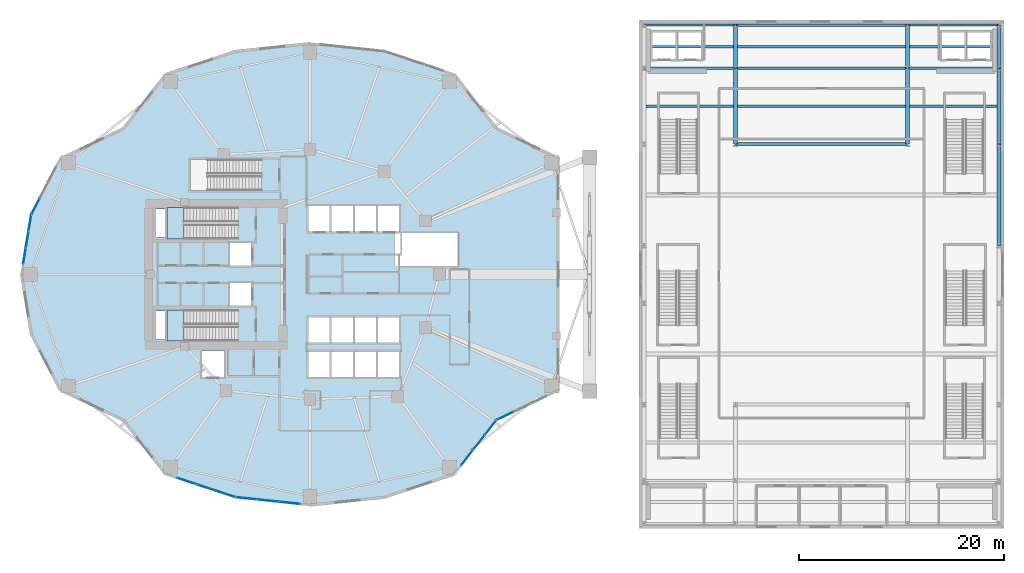
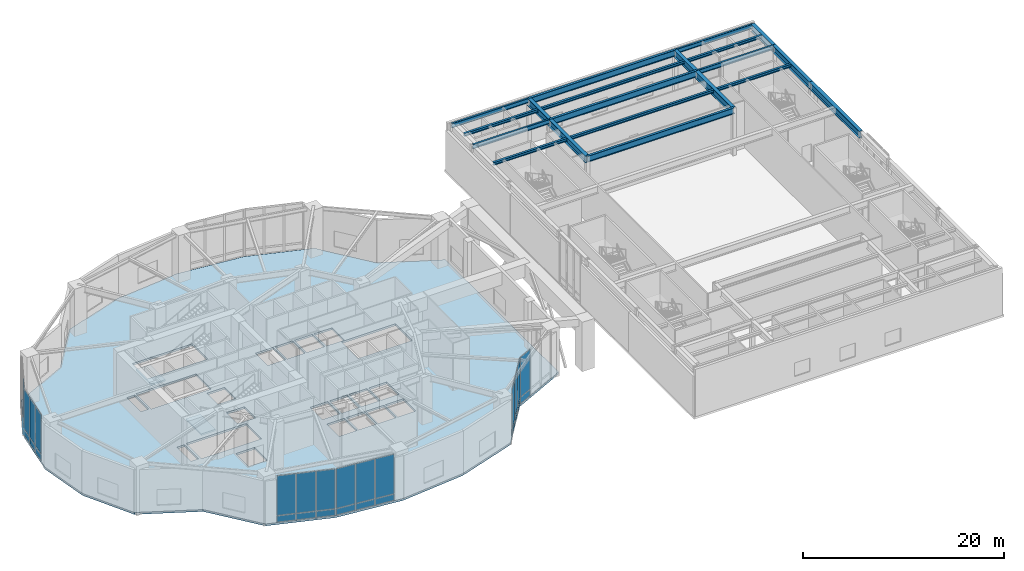
# One storey, part 12 of 25: 28 plates, 20 beams, 3 slabs, 8 elements without a shape of their own.
"""IFC4 building model written with IfcOpenShell, lengths in metres."""

from ifc_helpers import new_model, si_unit, direction, frame, origin, origin_2d, place, context, subcontext, project, spatial, polyline, rectangle, i_section, outline, extrude, material, layer, layer_set, material_profile, profile_set, type_object, element, aggregate, save


model = new_model("IFC4")

# Units and contexts
model_context = context("Model", 3, precision=1e-05, world=origin(), true_north=direction((0.0, 1.0)))
body_context = subcontext(model_context, "Body", "Model", "MODEL_VIEW")
ifc_project = project(units=[si_unit("LENGTHUNIT", "METRE"), si_unit("AREAUNIT", "SQUARE_METRE"), si_unit("VOLUMEUNIT", "CUBIC_METRE"), si_unit("PLANEANGLEUNIT", "RADIAN"), si_unit("MASSUNIT", "GRAM", prefix="KILO")], contexts=[model_context])

# Site, building, storey
site_placement = place(None, origin())
site = spatial("IfcSite", under=ifc_project, at=site_placement, CompositionType="ELEMENT")
building_placement = place(site_placement, origin())
building = spatial("IfcBuilding", under=site, at=building_placement, Name="Kolvaren Gate Tower and Convention Centre", CompositionType="ELEMENT")
storey_placement = place(building_placement, frame((0.0, 0.0, 15.0)))
storey = spatial("IfcBuildingStorey", under=building, at=storey_placement, Name="L03", CompositionType="ELEMENT", Elevation=15.0)

# Beams
ifc_material_1 = material(Name="Structural steel ASTM A992 Grade 345 MPa", Category="steel")
ifc_material_profile_1 = material_profile(ifc_material_1, i_section(OverallWidth=0.2119140625, OverallDepth=0.5439453125, WebThickness=0.01318359375, FlangeThickness=0.021240234375, at=origin_2d()), Name="W530X123")
ifc_profile_set_1 = profile_set([ifc_material_profile_1], Name="Structural steel ASTM A992 Grade 345 MPa")
beam_type_1 = type_object("IfcBeamType", Name="STR-BM-W530X123", PredefinedType="BEAM", material=ifc_profile_set_1)
for number, where, z_axis, x_axis, name in (
    (1, (62.699951171875, 47.10009765625, 5.488037109375), (1.0, 0.0, 0.0), (0.0, 1.0, 0.0), "Convention L03 Transverse Girder CTG-17"),
    (2, (88.39990234375, 47.10009765625, 5.488037109375), (1.0, 0.0, 0.0), (0.0, 1.0, 0.0), "Convention L03 Transverse Girder CTG-37"),
    (3, (62.699951171875, 51.300048828125, 5.488037109375), (1.0, 0.0, 0.0), (0.0, 1.0, 0.0), "Convention L03 Transverse Girder CTG-18"),
    (4, (88.39990234375, 51.300048828125, 5.488037109375), (1.0, 0.0, 0.0), (0.0, 1.0, 0.0), "Convention L03 Transverse Girder CTG-38"),
):
    element("IfcBeam", number, at=place(storey_placement, frame(where, z_axis=z_axis, x_axis=x_axis)), inside=storey, type_object=beam_type_1, Name=name, PredefinedType="BEAM", context=body_context, shape_type="SweptSolid", body=[
        extrude(i_section(OverallWidth=0.2119140625, OverallDepth=0.5439453125, WebThickness=0.01318359375, FlangeThickness=0.021240234375, at=origin_2d()), origin(), (0.0, 0.0, 1.0), 8.900146484375),
    ])
ifc_material_profile_2 = material_profile(ifc_material_1, i_section(OverallWidth=0.26806640625, OverallDepth=0.758056640625, WebThickness=0.016357421875, FlangeThickness=0.025390625, at=origin_2d()), Name="W760X220")
ifc_profile_set_2 = profile_set([ifc_material_profile_2], Name="Structural steel ASTM A992 Grade 345 MPa")
beam_type_2 = type_object("IfcBeamType", Name="STR-BM-W760X220", PredefinedType="BEAM", material=ifc_profile_set_2)
for number, where, z_axis, x_axis, name in (
    (5, (71.60009765625, 39.699951171875, 5.381103515625), (1.0, 0.0, 0.0), (0.0, 1.0, 0.0), "Convention L03 Transverse Girder CTG-26"),
    (6, (71.60009765625, 47.10009765625, 5.381103515625), (1.0, 0.0, 0.0), (0.0, 1.0, 0.0), "Convention L03 Transverse Girder CTG-27"),
    (7, (71.60009765625, 51.300048828125, 5.381103515625), (1.0, 0.0, 0.0), (0.0, 1.0, 0.0), "Convention L03 Transverse Girder CTG-28"),
):
    element("IfcBeam", number, at=place(storey_placement, frame(where, z_axis=z_axis, x_axis=x_axis)), inside=storey, type_object=beam_type_2, Name=name, PredefinedType="BEAM", context=body_context, shape_type="SweptSolid", body=[
        extrude(i_section(OverallWidth=0.26806640625, OverallDepth=0.758056640625, WebThickness=0.016357421875, FlangeThickness=0.025390625, at=origin_2d()), origin(), (0.0, 0.0, 1.0), 16.7998046875),
    ])
ifc_material_profile_3 = material_profile(ifc_material_1, i_section(OverallWidth=0.39990234375, OverallDepth=0.85498046875, WebThickness=0.018310546875, FlangeThickness=0.029296875, at=origin_2d()), Name="W840X299")
ifc_profile_set_3 = profile_set([ifc_material_profile_3], Name="Structural steel ASTM A992 Grade 345 MPa")
beam_type_3 = type_object("IfcBeamType", Name="STR-BM-W840X299", PredefinedType="BEAM", material=ifc_profile_set_3)
beam_1_placement = place(storey_placement, frame((71.60009765625, 39.699951171875, 5.33251953125), z_axis=(0.0, 1.0, 0.0), x_axis=(-1.0, 0.0, 0.0)))
element("IfcBeam", 8, at=beam_1_placement, inside=storey, type_object=beam_type_3, Name="Convention L03 Longitudinal Girder CG-26", PredefinedType="BEAM", context=body_context, shape_type="SweptSolid", body=[
    extrude(i_section(OverallWidth=0.39990234375, OverallDepth=0.85498046875, WebThickness=0.018310546875, FlangeThickness=0.029296875, at=origin_2d()), origin(), (0.0, 0.0, 1.0), 7.400146484375),
])
beam_2_placement = place(storey_placement, frame((71.60009765625, 47.10009765625, 5.33251953125), z_axis=(0.0, 1.0, 0.0), x_axis=(-1.0, 0.0, 0.0)))
element("IfcBeam", 9, at=beam_2_placement, inside=storey, type_object=beam_type_3, Name="Convention L03 Longitudinal Girder CG-27", PredefinedType="BEAM", context=body_context, shape_type="SweptSolid", body=[
    extrude(i_section(OverallWidth=0.39990234375, OverallDepth=0.85498046875, WebThickness=0.018310546875, FlangeThickness=0.029296875, at=origin_2d()), origin(), (0.0, 0.0, 1.0), 4.199951171875),
])
beam_3_placement = place(storey_placement, frame((88.39990234375, 39.699951171875, 5.33251953125), z_axis=(0.0, 1.0, 0.0), x_axis=(-1.0, 0.0, 0.0)))
element("IfcBeam", 10, at=beam_3_placement, inside=storey, type_object=beam_type_3, Name="Convention L03 Longitudinal Girder CG-36", PredefinedType="BEAM", context=body_context, shape_type="SweptSolid", body=[
    extrude(i_section(OverallWidth=0.39990234375, OverallDepth=0.85498046875, WebThickness=0.018310546875, FlangeThickness=0.029296875, at=origin_2d()), origin(), (0.0, 0.0, 1.0), 7.400146484375),
])
beam_4_placement = place(storey_placement, frame((88.39990234375, 47.10009765625, 5.33251953125), z_axis=(0.0, 1.0, 0.0), x_axis=(-1.0, 0.0, 0.0)))
element("IfcBeam", 11, at=beam_4_placement, inside=storey, type_object=beam_type_3, Name="Convention L03 Longitudinal Girder CG-37", PredefinedType="BEAM", context=body_context, shape_type="SweptSolid", body=[
    extrude(i_section(OverallWidth=0.39990234375, OverallDepth=0.85498046875, WebThickness=0.018310546875, FlangeThickness=0.029296875, at=origin_2d()), origin(), (0.0, 0.0, 1.0), 4.199951171875),
])
beam_5_placement = place(storey_placement, frame((97.300048828125, 29.800048828125, 5.33251953125), z_axis=(0.0, 1.0, 0.0), x_axis=(-1.0, 0.0, 0.0)))
element("IfcBeam", 12, at=beam_5_placement, inside=storey, type_object=beam_type_3, Name="Convention L03 Longitudinal Girder CG-45", PredefinedType="BEAM", context=body_context, shape_type="SweptSolid", body=[
    extrude(i_section(OverallWidth=0.39990234375, OverallDepth=0.85498046875, WebThickness=0.018310546875, FlangeThickness=0.029296875, at=origin_2d()), origin(), (0.0, 0.0, 1.0), 9.89990234375),
])
beam_6_placement = place(storey_placement, frame((97.300048828125, 39.699951171875, 5.33251953125), z_axis=(0.0, 1.0, 0.0), x_axis=(-1.0, 0.0, 0.0)))
element("IfcBeam", 13, at=beam_6_placement, inside=storey, type_object=beam_type_3, Name="Convention L03 Longitudinal Girder CG-46", PredefinedType="BEAM", context=body_context, shape_type="SweptSolid", body=[
    extrude(i_section(OverallWidth=0.39990234375, OverallDepth=0.85498046875, WebThickness=0.018310546875, FlangeThickness=0.029296875, at=origin_2d()), origin(), (0.0, 0.0, 1.0), 7.400146484375),
])
beam_7_placement = place(storey_placement, frame((97.300048828125, 47.10009765625, 5.33251953125), z_axis=(0.0, 1.0, 0.0), x_axis=(-1.0, 0.0, 0.0)))
element("IfcBeam", 14, at=beam_7_placement, inside=storey, type_object=beam_type_3, Name="Convention L03 Longitudinal Girder CG-47", PredefinedType="BEAM", context=body_context, shape_type="SweptSolid", body=[
    extrude(i_section(OverallWidth=0.39990234375, OverallDepth=0.85498046875, WebThickness=0.018310546875, FlangeThickness=0.029296875, at=origin_2d()), origin(), (0.0, 0.0, 1.0), 4.199951171875),
])
ifc_material_profile_4 = material_profile(ifc_material_1, i_section(OverallWidth=0.2548828125, OverallDepth=0.35693359375, WebThickness=0.010498046875, FlangeThickness=0.018310546875, at=origin_2d()), Name="W360X101")
ifc_profile_set_4 = profile_set([ifc_material_profile_4], Name="Structural steel ASTM A992 Grade 345 MPa")
beam_type_4 = type_object("IfcBeamType", Name="STR-JS-W360X101", PredefinedType="JOIST", material=ifc_profile_set_4)
beam_8_placement = place(storey_placement, frame((62.89990234375, 43.39990234375, 5.58154296875), z_axis=(1.0, 0.0, 0.0), x_axis=(0.0, 1.0, 0.0)))
element("IfcBeam", 15, at=beam_8_placement, inside=storey, type_object=beam_type_4, Name="Convention L03 Composite Floor Joist CJ-16", PredefinedType="JOIST", context=body_context, shape_type="SweptSolid", body=[
    extrude(i_section(OverallWidth=0.2548828125, OverallDepth=0.35693359375, WebThickness=0.010498046875, FlangeThickness=0.018310546875, at=origin_2d()), origin(), (0.0, 0.0, 1.0), 8.5),
])
beam_9_placement = place(storey_placement, frame((71.800048828125, 43.39990234375, 5.58154296875), z_axis=(1.0, 0.0, 0.0), x_axis=(0.0, 1.0, 0.0)))
element("IfcBeam", 16, at=beam_9_placement, inside=storey, type_object=beam_type_4, Name="Convention L03 Composite Floor Joist CJ-26", PredefinedType="JOIST", context=body_context, shape_type="SweptSolid", body=[
    extrude(i_section(OverallWidth=0.2548828125, OverallDepth=0.35693359375, WebThickness=0.010498046875, FlangeThickness=0.018310546875, at=origin_2d()), origin(), (0.0, 0.0, 1.0), 16.39990234375),
])
for number, where, z_axis, x_axis, name in (
    (17, (88.60009765625, 43.39990234375, 5.58154296875), (1.0, 0.0, 0.0), (0.0, 1.0, 0.0), "Convention L03 Composite Floor Joist CJ-36"),
    (18, (62.89990234375, 49.199951171875, 5.58154296875), (1.0, 0.0, 0.0), (0.0, 1.0, 0.0), "Convention L03 Composite Floor Joist CJ-17"),
):
    element("IfcBeam", number, at=place(storey_placement, frame(where, z_axis=z_axis, x_axis=x_axis)), inside=storey, type_object=beam_type_4, Name=name, PredefinedType="JOIST", context=body_context, shape_type="SweptSolid", body=[
        extrude(i_section(OverallWidth=0.2548828125, OverallDepth=0.35693359375, WebThickness=0.010498046875, FlangeThickness=0.018310546875, at=origin_2d()), origin(), (0.0, 0.0, 1.0), 8.5),
    ])
beam_10_placement = place(storey_placement, frame((71.800048828125, 49.199951171875, 5.58154296875), z_axis=(1.0, 0.0, 0.0), x_axis=(0.0, 1.0, 0.0)))
element("IfcBeam", 19, at=beam_10_placement, inside=storey, type_object=beam_type_4, Name="Convention L03 Composite Floor Joist CJ-27", PredefinedType="JOIST", context=body_context, shape_type="SweptSolid", body=[
    extrude(i_section(OverallWidth=0.2548828125, OverallDepth=0.35693359375, WebThickness=0.010498046875, FlangeThickness=0.018310546875, at=origin_2d()), origin(), (0.0, 0.0, 1.0), 16.39990234375),
])
beam_11_placement = place(storey_placement, frame((88.60009765625, 49.199951171875, 5.58154296875), z_axis=(1.0, 0.0, 0.0), x_axis=(0.0, 1.0, 0.0)))
element("IfcBeam", 20, at=beam_11_placement, inside=storey, type_object=beam_type_4, Name="Convention L03 Composite Floor Joist CJ-37", PredefinedType="JOIST", context=body_context, shape_type="SweptSolid", body=[
    extrude(i_section(OverallWidth=0.2548828125, OverallDepth=0.35693359375, WebThickness=0.010498046875, FlangeThickness=0.018310546875, at=origin_2d()), origin(), (0.0, 0.0, 1.0), 8.5),
])

# Curtain wall, plate
ifc_material_2 = material(Name="Anodized Architectural Aluminium Alloy 6063-T6", Category="aluminium")
ifc_layer_1 = layer(ifc_material_2, 0.179931640625)
ifc_layer_set_1 = layer_set([ifc_layer_1], Name="Anodized Architectural Aluminium Alloy 6063-T6")
curtain_wall_type = type_object("IfcCurtainWallType", Name="CW-POD-GLZ", PredefinedType="NOTDEFINED", material=ifc_layer_set_1)
curtain_wall_1_placement = place(storey_placement, origin())
curtain_wall_1 = element("IfcCurtainWall", 21, at=curtain_wall_1_placement, inside=storey, type_object=curtain_wall_type, Name="Tower L03 Unitised Curtain Wall CW-POD-GLZ Bay 10", PredefinedType="NOTDEFINED")
ifc_material_3 = material(Name="Low-E Triple Insulated Glazing Unit 44 mm", Category="glass")
ifc_layer_2 = layer(ifc_material_3, 0.0439453125)
ifc_layer_set_2 = layer_set([ifc_layer_2], Name="Low-E Triple Insulated Glazing Unit 44 mm")
plate_type_1 = type_object("IfcPlateType", Name="CW-PL-IGU-44", PredefinedType="CURTAIN_PANEL", material=ifc_layer_set_2)
plate_1_placement = place(storey_placement, frame((3.373779296875, 33.625732421875, 0.88720703125), z_axis=(0.0, 0.0, 1.0), x_axis=(0.459789264949, 0.888028058024, 0.0)))
plate_1 = element("IfcPlate", 22, at=plate_1_placement, type_object=plate_type_1, Name="CW-01 panel 1.2", PredefinedType="CURTAIN_PANEL", context=body_context, shape_type="SweptSolid", body=[
    extrude(rectangle(XDim=1.6572265625, YDim=0.0439453125, at=origin_2d()), origin(), (0.0, 0.0, 1.0), 4.797607421875),
])

# Curtain wall, plates
curtain_wall_2_placement = place(storey_placement, origin())
curtain_wall_2 = element("IfcCurtainWall", 23, at=curtain_wall_2_placement, inside=storey, type_object=curtain_wall_type, Name="Tower L03 Unitised Curtain Wall CW-POD-GLZ Bay 11", PredefinedType="NOTDEFINED")
plate_2_placement = place(storey_placement, frame((2.295166015625, 28.793212890625, 0.88720703125), z_axis=(0.0, 0.0, 1.0), x_axis=(0.162376449454, 0.986728883059, 0.0)))
plate_2 = element("IfcPlate", 24, at=plate_2_placement, type_object=plate_type_1, Name="CW-01 panel 1.2", PredefinedType="CURTAIN_PANEL", context=body_context, shape_type="SweptSolid", body=[
    extrude(rectangle(XDim=1.52880859375, YDim=0.0439453125, at=origin_2d()), origin(), (0.0, 0.0, 1.0), 4.797607421875),
])
plate_3_placement = place(storey_placement, frame((2.55859375, 30.394287109375, 0.88720703125), z_axis=(0.0, 0.0, 1.0), x_axis=(0.162376449454, 0.986728883059, 0.0)))
plate_3 = element("IfcPlate", 25, at=plate_3_placement, type_object=plate_type_1, Name="CW-01 panel 2.2", PredefinedType="CURTAIN_PANEL", context=body_context, shape_type="SweptSolid", body=[
    extrude(rectangle(XDim=1.566162109375, YDim=0.0439453125, at=origin_2d()), origin(), (0.0, 0.0, 1.0), 4.797607421875),
])
plate_4_placement = place(storey_placement, frame((2.822021484375, 31.9951171875, 0.88720703125), z_axis=(0.0, 0.0, 1.0), x_axis=(0.162376449454, 0.986728883059, 0.0)))
plate_4 = element("IfcPlate", 26, at=plate_4_placement, type_object=plate_type_1, Name="CW-01 panel 3.2", PredefinedType="CURTAIN_PANEL", context=body_context, shape_type="SweptSolid", body=[
    extrude(rectangle(XDim=1.52880859375, YDim=0.0439453125, at=origin_2d()), origin(), (0.0, 0.0, 1.0), 4.797607421875),
])

curtain_wall_3_placement = place(storey_placement, origin())
curtain_wall_3 = element("IfcCurtainWall", 27, at=curtain_wall_3_placement, inside=storey, type_object=curtain_wall_type, Name="Tower L03 Unitised Curtain Wall CW-POD-GLZ Bay 16", PredefinedType="NOTDEFINED")
plate_5_placement = place(storey_placement, frame((18.076904296875, 6.846923828125, 0.88720703125), z_axis=(0.0, 0.0, 1.0), x_axis=(0.949242053404, -0.314546537175, 0.0)))
plate_5 = element("IfcPlate", 28, at=plate_5_placement, type_object=plate_type_1, Name="CW-01 panel 1.2", PredefinedType="CURTAIN_PANEL", context=body_context, shape_type="SweptSolid", body=[
    extrude(rectangle(XDim=1.904541015625, YDim=0.0439453125, at=origin_2d()), origin(), (0.0, 0.0, 1.0), 4.797607421875),
])
plate_6_placement = place(storey_placement, frame((19.973876953125, 6.21826171875, 0.88720703125), z_axis=(0.0, 0.0, 1.0), x_axis=(0.949242053404, -0.314546537175, 0.0)))
plate_6 = element("IfcPlate", 29, at=plate_6_placement, type_object=plate_type_1, Name="CW-01 panel 2.2", PredefinedType="CURTAIN_PANEL", context=body_context, shape_type="SweptSolid", body=[
    extrude(rectangle(XDim=1.94189453125, YDim=0.0439453125, at=origin_2d()), origin(), (0.0, 0.0, 1.0), 4.797607421875),
])
plate_7_placement = place(storey_placement, frame((21.87060546875, 5.58984375, 0.88720703125), z_axis=(0.0, 0.0, 1.0), x_axis=(0.949242053404, -0.314546537175, 0.0)))
plate_7 = element("IfcPlate", 30, at=plate_7_placement, type_object=plate_type_1, Name="CW-01 panel 3.2", PredefinedType="CURTAIN_PANEL", context=body_context, shape_type="SweptSolid", body=[
    extrude(rectangle(XDim=1.904541015625, YDim=0.0439453125, at=origin_2d()), origin(), (0.0, 0.0, 1.0), 4.797607421875),
])

curtain_wall_4_placement = place(storey_placement, origin())
curtain_wall_4 = element("IfcCurtainWall", 31, at=curtain_wall_4_placement, inside=storey, type_object=curtain_wall_type, Name="Tower L03 Unitised Curtain Wall CW-POD-GLZ Bay 17", PredefinedType="NOTDEFINED")
plate_8_placement = place(storey_placement, frame((23.923583984375, 5.153076171875, 0.88720703125), z_axis=(0.0, 0.0, 1.0), x_axis=(0.994499449653, -0.104741799872, 0.0)))
plate_8 = element("IfcPlate", 32, at=plate_8_placement, type_object=plate_type_1, Name="CW-01 panel 1.2", PredefinedType="CURTAIN_PANEL", context=body_context, shape_type="SweptSolid", body=[
    extrude(rectangle(XDim=2.017822265625, YDim=0.0439453125, at=origin_2d()), origin(), (0.0, 0.0, 1.0), 4.797607421875),
])
plate_9_placement = place(storey_placement, frame((26.023681640625, 4.931884765625, 0.88720703125), z_axis=(0.0, 0.0, 1.0), x_axis=(0.994499449653, -0.104741799872, 0.0)))
plate_9 = element("IfcPlate", 33, at=plate_9_placement, type_object=plate_type_1, Name="CW-01 panel 2.2", PredefinedType="CURTAIN_PANEL", context=body_context, shape_type="SweptSolid", body=[
    extrude(rectangle(XDim=2.055419921875, YDim=0.0439453125, at=origin_2d()), origin(), (0.0, 0.0, 1.0), 4.797607421875),
])
plate_10_placement = place(storey_placement, frame((28.12353515625, 4.7109375, 0.88720703125), z_axis=(0.0, 0.0, 1.0), x_axis=(0.994499449653, -0.104741799872, 0.0)))
plate_10 = element("IfcPlate", 34, at=plate_10_placement, type_object=plate_type_1, Name="CW-01 panel 3.2", PredefinedType="CURTAIN_PANEL", context=body_context, shape_type="SweptSolid", body=[
    extrude(rectangle(XDim=2.017822265625, YDim=0.0439453125, at=origin_2d()), origin(), (0.0, 0.0, 1.0), 4.797607421875),
])

curtain_wall_5_placement = place(storey_placement, origin())
curtain_wall_5 = element("IfcCurtainWall", 35, at=curtain_wall_5_placement, inside=storey, type_object=curtain_wall_type, Name="Tower L03 Unitised Curtain Wall CW-POD-GLZ Bay 20", PredefinedType="NOTDEFINED")
plate_11_placement = place(storey_placement, frame((45.439697265625, 9.114013671875, 0.88720703125), z_axis=(0.0, 0.0, 1.0), x_axis=(0.616425794643, 0.787413004527, 0.0)))
plate_11 = element("IfcPlate", 36, at=plate_11_placement, type_object=plate_type_1, Name="CW-01 panel 1.2", PredefinedType="CURTAIN_PANEL", context=body_context, shape_type="SweptSolid", body=[
    extrude(rectangle(XDim=1.760986328125, YDim=0.0439453125, at=origin_2d()), origin(), (0.0, 0.0, 1.0), 4.797607421875),
])
plate_12_placement = place(storey_placement, frame((46.5830078125, 10.574462890625, 0.88720703125), z_axis=(0.0, 0.0, 1.0), x_axis=(0.616425794643, 0.787413004527, 0.0)))
plate_12 = element("IfcPlate", 37, at=plate_12_placement, type_object=plate_type_1, Name="CW-01 panel 2.2", PredefinedType="CURTAIN_PANEL", context=body_context, shape_type="SweptSolid", body=[
    extrude(rectangle(XDim=1.79833984375, YDim=0.0439453125, at=origin_2d()), origin(), (0.0, 0.0, 1.0), 4.797607421875),
])
plate_13_placement = place(storey_placement, frame((47.726318359375, 12.034912109375, 0.88720703125), z_axis=(0.0, 0.0, 1.0), x_axis=(0.616425794643, 0.787413004527, 0.0)))
plate_13 = element("IfcPlate", 38, at=plate_13_placement, type_object=plate_type_1, Name="CW-01 panel 3.2", PredefinedType="CURTAIN_PANEL", context=body_context, shape_type="SweptSolid", body=[
    extrude(rectangle(XDim=1.760986328125, YDim=0.0439453125, at=origin_2d()), origin(), (0.0, 0.0, 1.0), 4.797607421875),
])

# Curtain wall, plate
curtain_wall_6_placement = place(storey_placement, origin())
curtain_wall_6 = element("IfcCurtainWall", 39, at=curtain_wall_6_placement, inside=storey, type_object=curtain_wall_type, Name="Tower L03 Unitised Curtain Wall CW-POD-GLZ Bay 21", PredefinedType="NOTDEFINED")
plate_14_placement = place(storey_placement, frame((49.15234375, 13.189453125, 0.88720703125), z_axis=(0.0, 0.0, 1.0), x_axis=(0.90136380435, 0.433062688542, 0.0)))
plate_14 = element("IfcPlate", 40, at=plate_14_placement, type_object=plate_type_1, Name="CW-01 panel 1.2", PredefinedType="CURTAIN_PANEL", context=body_context, shape_type="SweptSolid", body=[
    extrude(rectangle(XDim=1.70751953125, YDim=0.0439453125, at=origin_2d()), origin(), (0.0, 0.0, 1.0), 4.797607421875),
])

# Plate
ifc_material_4 = material(Name="Solar-Control Laminated Curtain Glazing 36 mm", Category="glass")
ifc_layer_3 = layer(ifc_material_4, 0.035888671875)
ifc_layer_set_3 = layer_set([ifc_layer_3], Name="Solar-Control Laminated Curtain Glazing 36 mm")
plate_type_2 = type_object("IfcPlateType", Name="CW-PL-SPAN-36", PredefinedType="CURTAIN_PANEL", material=ifc_layer_set_3)
plate_15_placement = place(storey_placement, frame((3.373779296875, 33.625732421875, 0.0751953125), z_axis=(0.0, 0.0, 1.0), x_axis=(0.459789264949, 0.888028058024, 0.0)))
plate_15 = element("IfcPlate", 41, at=plate_15_placement, type_object=plate_type_2, Name="CW-01 panel 1.1", PredefinedType="CURTAIN_PANEL", context=body_context, shape_type="SweptSolid", body=[
    extrude(rectangle(XDim=1.6572265625, YDim=0.035888671875, at=origin_2d()), origin(), (0.0, 0.0, 1.0), 0.737548828125),
])

aggregate(curtain_wall_1, [plate_15, plate_1])

plate_16_placement = place(storey_placement, frame((2.295166015625, 28.793212890625, 0.0751953125), z_axis=(0.0, 0.0, 1.0), x_axis=(0.162376449454, 0.986728883059, 0.0)))
plate_16 = element("IfcPlate", 42, at=plate_16_placement, type_object=plate_type_2, Name="CW-01 panel 1.1", PredefinedType="CURTAIN_PANEL", context=body_context, shape_type="SweptSolid", body=[
    extrude(rectangle(XDim=1.52880859375, YDim=0.035888671875, at=origin_2d()), origin(), (0.0, 0.0, 1.0), 0.737548828125),
])

plate_17_placement = place(storey_placement, frame((2.55859375, 30.394287109375, 0.0751953125), z_axis=(0.0, 0.0, 1.0), x_axis=(0.162376449454, 0.986728883059, 0.0)))
plate_17 = element("IfcPlate", 43, at=plate_17_placement, type_object=plate_type_2, Name="CW-01 panel 2.1", PredefinedType="CURTAIN_PANEL", context=body_context, shape_type="SweptSolid", body=[
    extrude(rectangle(XDim=1.566162109375, YDim=0.035888671875, at=origin_2d()), origin(), (0.0, 0.0, 1.0), 0.737548828125),
])

plate_18_placement = place(storey_placement, frame((2.822021484375, 31.9951171875, 0.0751953125), z_axis=(0.0, 0.0, 1.0), x_axis=(0.162376449454, 0.986728883059, 0.0)))
plate_18 = element("IfcPlate", 44, at=plate_18_placement, type_object=plate_type_2, Name="CW-01 panel 3.1", PredefinedType="CURTAIN_PANEL", context=body_context, shape_type="SweptSolid", body=[
    extrude(rectangle(XDim=1.52880859375, YDim=0.035888671875, at=origin_2d()), origin(), (0.0, 0.0, 1.0), 0.737548828125),
])

aggregate(curtain_wall_2, [plate_16, plate_2, plate_17, plate_3, plate_18, plate_4])

plate_19_placement = place(storey_placement, frame((18.076904296875, 6.846923828125, 0.0751953125), z_axis=(0.0, 0.0, 1.0), x_axis=(0.949242053404, -0.314546537175, 0.0)))
plate_19 = element("IfcPlate", 45, at=plate_19_placement, type_object=plate_type_2, Name="CW-01 panel 1.1", PredefinedType="CURTAIN_PANEL", context=body_context, shape_type="SweptSolid", body=[
    extrude(rectangle(XDim=1.904541015625, YDim=0.035888671875, at=origin_2d()), origin(), (0.0, 0.0, 1.0), 0.737548828125),
])

plate_20_placement = place(storey_placement, frame((19.973876953125, 6.21826171875, 0.0751953125), z_axis=(0.0, 0.0, 1.0), x_axis=(0.949242053404, -0.314546537175, 0.0)))
plate_20 = element("IfcPlate", 46, at=plate_20_placement, type_object=plate_type_2, Name="CW-01 panel 2.1", PredefinedType="CURTAIN_PANEL", context=body_context, shape_type="SweptSolid", body=[
    extrude(rectangle(XDim=1.94189453125, YDim=0.035888671875, at=origin_2d()), origin(), (0.0, 0.0, 1.0), 0.737548828125),
])

plate_21_placement = place(storey_placement, frame((21.87060546875, 5.58984375, 0.0751953125), z_axis=(0.0, 0.0, 1.0), x_axis=(0.949242053404, -0.314546537175, 0.0)))
plate_21 = element("IfcPlate", 47, at=plate_21_placement, type_object=plate_type_2, Name="CW-01 panel 3.1", PredefinedType="CURTAIN_PANEL", context=body_context, shape_type="SweptSolid", body=[
    extrude(rectangle(XDim=1.904541015625, YDim=0.035888671875, at=origin_2d()), origin(), (0.0, 0.0, 1.0), 0.737548828125),
])

aggregate(curtain_wall_3, [plate_19, plate_5, plate_20, plate_6, plate_21, plate_7])

plate_22_placement = place(storey_placement, frame((23.923583984375, 5.153076171875, 0.0751953125), z_axis=(0.0, 0.0, 1.0), x_axis=(0.994499449653, -0.104741799872, 0.0)))
plate_22 = element("IfcPlate", 48, at=plate_22_placement, type_object=plate_type_2, Name="CW-01 panel 1.1", PredefinedType="CURTAIN_PANEL", context=body_context, shape_type="SweptSolid", body=[
    extrude(rectangle(XDim=2.017822265625, YDim=0.035888671875, at=origin_2d()), origin(), (0.0, 0.0, 1.0), 0.737548828125),
])

plate_23_placement = place(storey_placement, frame((26.023681640625, 4.931884765625, 0.0751953125), z_axis=(0.0, 0.0, 1.0), x_axis=(0.994499449653, -0.104741799872, 0.0)))
plate_23 = element("IfcPlate", 49, at=plate_23_placement, type_object=plate_type_2, Name="CW-01 panel 2.1", PredefinedType="CURTAIN_PANEL", context=body_context, shape_type="SweptSolid", body=[
    extrude(rectangle(XDim=2.055419921875, YDim=0.035888671875, at=origin_2d()), origin(), (0.0, 0.0, 1.0), 0.737548828125),
])

plate_24_placement = place(storey_placement, frame((28.12353515625, 4.7109375, 0.0751953125), z_axis=(0.0, 0.0, 1.0), x_axis=(0.994499449653, -0.104741799872, 0.0)))
plate_24 = element("IfcPlate", 50, at=plate_24_placement, type_object=plate_type_2, Name="CW-01 panel 3.1", PredefinedType="CURTAIN_PANEL", context=body_context, shape_type="SweptSolid", body=[
    extrude(rectangle(XDim=2.017822265625, YDim=0.035888671875, at=origin_2d()), origin(), (0.0, 0.0, 1.0), 0.737548828125),
])

aggregate(curtain_wall_4, [plate_22, plate_8, plate_23, plate_9, plate_24, plate_10])

plate_25_placement = place(storey_placement, frame((45.439697265625, 9.114013671875, 0.0751953125), z_axis=(0.0, 0.0, 1.0), x_axis=(0.616425794643, 0.787413004527, 0.0)))
plate_25 = element("IfcPlate", 51, at=plate_25_placement, type_object=plate_type_2, Name="CW-01 panel 1.1", PredefinedType="CURTAIN_PANEL", context=body_context, shape_type="SweptSolid", body=[
    extrude(rectangle(XDim=1.760986328125, YDim=0.035888671875, at=origin_2d()), origin(), (0.0, 0.0, 1.0), 0.737548828125),
])

plate_26_placement = place(storey_placement, frame((46.5830078125, 10.574462890625, 0.0751953125), z_axis=(0.0, 0.0, 1.0), x_axis=(0.616425794643, 0.787413004527, 0.0)))
plate_26 = element("IfcPlate", 52, at=plate_26_placement, type_object=plate_type_2, Name="CW-01 panel 2.1", PredefinedType="CURTAIN_PANEL", context=body_context, shape_type="SweptSolid", body=[
    extrude(rectangle(XDim=1.79833984375, YDim=0.035888671875, at=origin_2d()), origin(), (0.0, 0.0, 1.0), 0.737548828125),
])

plate_27_placement = place(storey_placement, frame((47.726318359375, 12.034912109375, 0.0751953125), z_axis=(0.0, 0.0, 1.0), x_axis=(0.616425794643, 0.787413004527, 0.0)))
plate_27 = element("IfcPlate", 53, at=plate_27_placement, type_object=plate_type_2, Name="CW-01 panel 3.1", PredefinedType="CURTAIN_PANEL", context=body_context, shape_type="SweptSolid", body=[
    extrude(rectangle(XDim=1.760986328125, YDim=0.035888671875, at=origin_2d()), origin(), (0.0, 0.0, 1.0), 0.737548828125),
])

aggregate(curtain_wall_5, [plate_25, plate_11, plate_26, plate_12, plate_27, plate_13])

plate_28_placement = place(storey_placement, frame((49.15234375, 13.189453125, 0.0751953125), z_axis=(0.0, 0.0, 1.0), x_axis=(0.90136380435, 0.433062688542, 0.0)))
plate_28 = element("IfcPlate", 54, at=plate_28_placement, type_object=plate_type_2, Name="CW-01 panel 1.1", PredefinedType="CURTAIN_PANEL", context=body_context, shape_type="SweptSolid", body=[
    extrude(rectangle(XDim=1.70751953125, YDim=0.035888671875, at=origin_2d()), origin(), (0.0, 0.0, 1.0), 0.737548828125),
])

aggregate(curtain_wall_6, [plate_28, plate_14])

# Slab
ifc_material_5 = material(Name="Concrete C40/50", Category="concrete")
ifc_layer_4 = layer(ifc_material_5, 0.239990234375)
ifc_layer_set_4 = layer_set([ifc_layer_4], Name="Concrete C40/50")
slab_type_1 = type_object("IfcSlabType", Name="STR-SL-FLR-240", PredefinedType="FLOOR", material=ifc_layer_set_4)
slab_1_placement = place(storey_placement, frame((0.0, 0.0, -0.239990234375)))
element("IfcSlab", 55, at=slab_1_placement, inside=storey, type_object=slab_type_1, Name="Tower L03 Structural Floor Slab", PredefinedType="FLOOR", context=body_context, shape_type="SweptSolid", body=[
    extrude(outline(polyline([(54.48193359375, 38.25), (48.315185546875, 41.212890625), (44.1875, 46.485595703125), (37.404296875, 48.7333984375), (30.125, 49.5), (22.845703125, 48.7333984375), (16.0625, 46.485595703125), (11.934814453125, 41.212890625), (5.76806640625, 38.25), (2.958251953125, 32.823486328125), (2.0, 27.0), (2.958251953125, 21.176513671875), (5.76806640625, 15.75), (11.934814453125, 12.787109375), (16.0625, 7.514404296875), (22.845703125, 5.2666015625), (30.125, 4.5), (37.404296875, 5.2666015625), (44.1875, 7.514404296875), (48.315185546875, 12.787109375), (54.48193359375, 15.75), (54.48193359375, 38.25)]), holes=[polyline([(38.39990234375, 31.10009765625), (44.60009765625, 31.10009765625), (44.60009765625, 27.75), (38.39990234375, 27.75), (38.39990234375, 31.10009765625)]), polyline([(36.75, 33.64990234375), (38.800048828125, 33.64990234375), (38.800048828125, 31.199951171875), (36.75, 31.199951171875), (36.75, 33.64990234375)]), polyline([(36.75, 22.800048828125), (38.800048828125, 22.800048828125), (38.800048828125, 20.35009765625), (36.75, 20.35009765625), (36.75, 22.800048828125)]), polyline([(36.75, 19.449951171875), (38.800048828125, 19.449951171875), (38.800048828125, 17.0), (36.75, 17.0), (36.75, 19.449951171875)]), polyline([(34.5, 33.64990234375), (36.550048828125, 33.64990234375), (36.550048828125, 31.199951171875), (34.5, 31.199951171875), (34.5, 33.64990234375)]), polyline([(34.5, 20.35009765625), (34.5, 22.800048828125), (36.550048828125, 22.800048828125), (36.550048828125, 20.35009765625), (34.5, 20.35009765625)]), polyline([(34.5, 17.0), (34.5, 19.449951171875), (36.550048828125, 19.449951171875), (36.550048828125, 17.0), (34.5, 17.0)]), polyline([(32.25, 31.199951171875), (32.25, 33.64990234375), (34.300048828125, 33.64990234375), (34.300048828125, 31.199951171875), (32.25, 31.199951171875)]), polyline([(32.25, 22.800048828125), (34.300048828125, 22.800048828125), (34.300048828125, 20.35009765625), (32.25, 20.35009765625), (32.25, 22.800048828125)]), polyline([(32.25, 17.0), (32.25, 19.449951171875), (34.300048828125, 19.449951171875), (34.300048828125, 17.0), (32.25, 17.0)]), polyline([(30.0, 33.64990234375), (32.050048828125, 33.64990234375), (32.050048828125, 31.199951171875), (30.0, 31.199951171875), (30.0, 33.64990234375)]), polyline([(30.0, 20.35009765625), (30.0, 22.800048828125), (32.050048828125, 22.800048828125), (32.050048828125, 20.35009765625), (30.0, 20.35009765625)]), polyline([(30.0, 17.0), (30.0, 19.449951171875), (32.050048828125, 19.449951171875), (32.050048828125, 17.0), (30.0, 17.0)]), polyline([(25.39990234375, 38.199951171875), (25.39990234375, 35.159912109375), (18.5, 35.159912109375), (18.5, 38.199951171875), (25.39990234375, 38.199951171875)]), polyline([(22.35009765625, 27.840087890625), (22.35009765625, 30.0400390625), (24.39990234375, 30.0400390625), (24.39990234375, 27.840087890625), (22.35009765625, 27.840087890625)]), polyline([(22.35009765625, 23.9599609375), (22.35009765625, 26.159912109375), (24.39990234375, 26.159912109375), (24.39990234375, 23.9599609375), (22.35009765625, 23.9599609375)]), polyline([(23.10009765625, 30.4599609375), (16.199951171875, 30.4599609375), (16.199951171875, 33.5), (23.10009765625, 33.5), (23.10009765625, 30.4599609375)]), polyline([(23.10009765625, 20.5), (16.199951171875, 20.5), (16.199951171875, 23.5400390625), (23.10009765625, 23.5400390625), (23.10009765625, 20.5)]), polyline([(19.60009765625, 17.0), (19.60009765625, 19.550048828125), (21.75, 19.550048828125), (21.75, 17.0), (19.60009765625, 17.0)]), polyline([(15.080078125, 23.419921875), (15.969970703125, 23.419921875), (15.969970703125, 20.6298828125), (15.080078125, 20.6298828125), (15.080078125, 23.419921875)]), polyline([(15.080078125, 30.580078125), (15.080078125, 33.3701171875), (15.969970703125, 33.3701171875), (15.969970703125, 30.580078125), (15.080078125, 30.580078125)])]), origin(), (0.0, 0.0, 1.0), 0.239990234375),
])

# Stair, slab
ifc_material_6 = material(Name="Concrete C50/60", Category="concrete")
stair_type = type_object("IfcStairType", Name="STR-STAIR-CORE", PredefinedType="HALF_TURN_STAIR", material=ifc_material_6)
stair_1_placement = place(storey_placement, origin())
stair_1 = element("IfcStair", 56, at=stair_1_placement, inside=storey, type_object=stair_type, Name="L03 Tower North Exit Stair ST-T1", PredefinedType="HALF_TURN_STAIR")
ifc_layer_5 = layer(ifc_material_6, 0.199951171875)
ifc_layer_set_5 = layer_set([ifc_layer_5], Name="Concrete C50/60")
slab_type_2 = type_object("IfcSlabType", Name="STR-SL-LAND-200", PredefinedType="LANDING", material=ifc_layer_set_5)
slab_2_placement = place(storey_placement, frame((0.0, 0.0, 2.800048828125)))
slab_2 = element("IfcSlab", 57, at=slab_2_placement, type_object=slab_type_2, Name="ST-T1 landing 1", PredefinedType="LANDING", context=body_context, shape_type="SweptSolid", body=[
    extrude(outline(polyline([(17.830078125, 33.5), (16.199951171875, 33.5), (16.199951171875, 30.4599609375), (17.830078125, 30.4599609375), (17.830078125, 33.5)])), origin(), (0.0, 0.0, 1.0), 0.199951171875),
])
aggregate(stair_1, [slab_2])

stair_2_placement = place(storey_placement, origin())
stair_2 = element("IfcStair", 58, at=stair_2_placement, inside=storey, type_object=stair_type, Name="L03 Tower South Exit Stair ST-T2", PredefinedType="HALF_TURN_STAIR")
slab_3_placement = place(storey_placement, frame((0.0, 0.0, 2.800048828125)))
slab_3 = element("IfcSlab", 59, at=slab_3_placement, type_object=slab_type_2, Name="ST-T2 landing 1", PredefinedType="LANDING", context=body_context, shape_type="SweptSolid", body=[
    extrude(outline(polyline([(17.830078125, 23.5400390625), (16.199951171875, 23.5400390625), (16.199951171875, 20.5), (17.830078125, 20.5), (17.830078125, 23.5400390625)])), origin(), (0.0, 0.0, 1.0), 0.199951171875),
])
aggregate(stair_2, [slab_3])

save(model, "model.ifc")
